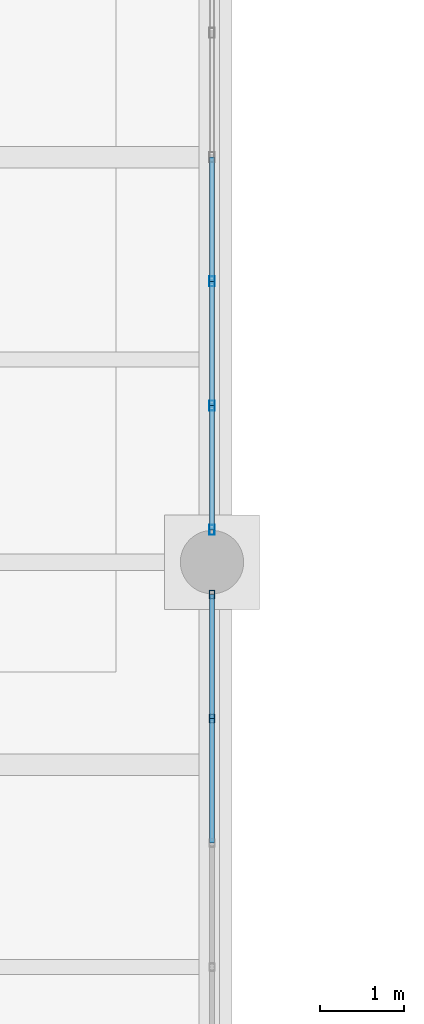
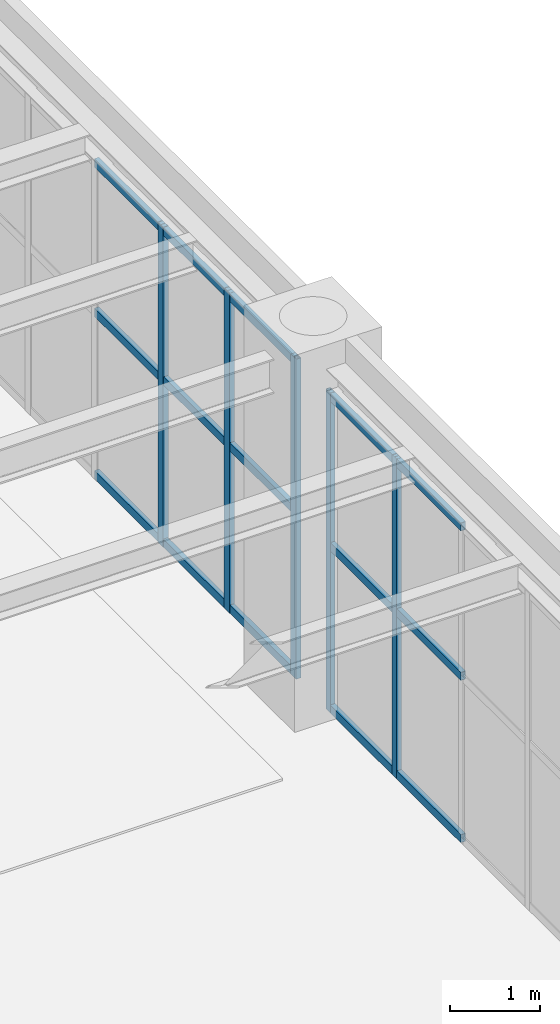
# One storey, part 51 of 174: 20 members, 2 elements without a shape of their own.
"""IFC4 building model written with IfcOpenShell, lengths in metres."""

from ifc_helpers import new_model, si_unit, direction, frame, origin, origin_2d, place, context, subcontext, project, spatial, hollow_rectangle, extrude, material, material_profile, profile_set, type_object, element, aggregate, save


model = new_model("IFC4")

# Units and contexts
model_context = context("Model", 3, precision=1e-05, world=origin(), true_north=direction((0.0, 1.0)))
body_context = subcontext(model_context, "Body", "Model", "MODEL_VIEW")
ifc_project = project(units=[si_unit("LENGTHUNIT", "METRE"), si_unit("AREAUNIT", "SQUARE_METRE"), si_unit("VOLUMEUNIT", "CUBIC_METRE"), si_unit("PLANEANGLEUNIT", "RADIAN"), si_unit("MASSUNIT", "GRAM", prefix="KILO")], contexts=[model_context])

# Site, building, storey
site_placement = place(None, origin())
site = spatial("IfcSite", under=ifc_project, at=site_placement, CompositionType="ELEMENT")
building_placement = place(site_placement, origin())
building = spatial("IfcBuilding", under=site, at=building_placement, Name="Mavantir Sound Aquarium", CompositionType="ELEMENT")
storey_placement = place(building_placement, frame((0.0, 0.0, 5.39990234375)))
storey = spatial("IfcBuildingStorey", under=building, at=storey_placement, Name="L01", CompositionType="ELEMENT", Elevation=5.39990234375)

# Curtain wall, members
ifc_material_1 = material(Name="Anodised Marine Aluminium and Low-E Glass", Category="aluminium")
curtain_wall_type_1 = type_object("IfcCurtainWallType", Name="CW-T07", PredefinedType="USERDEFINED", material=ifc_material_1)
curtain_wall_1_placement = place(storey_placement, origin())
curtain_wall_1 = element("IfcCurtainWall", 1, at=curtain_wall_1_placement, inside=storey, type_object=curtain_wall_type_1, Name="L01 unitised curtain wall CW-07 55", ObjectType="UNITISED GLAZING", PredefinedType="USERDEFINED")
ifc_material_2 = material(Name="Anodised Marine Aluminium 6063-T6", Category="aluminium")
ifc_material_profile_1 = material_profile(ifc_material_2, hollow_rectangle(XDim=0.06005859375, YDim=0.10009765625, WallThickness=0.00390625, at=origin_2d()), Name="ALU-MULLION-100X60")
ifc_profile_set_1 = profile_set([ifc_material_profile_1], Name="Anodised Marine Aluminium 6063-T6")
member_type_1 = type_object("IfcMemberType", Name="CW-MUL-100", PredefinedType="MULLION", material=ifc_profile_set_1)
member_1_placement = place(storey_placement, frame((64.800048828125, 48.544677734375, 0.0), z_axis=(0.0, 0.0, 1.0), x_axis=(1.0, 0.0, 0.0)))
member_1 = element("IfcMember", 2, at=member_1_placement, type_object=member_type_1, Name="CW-L01-055 vertical mullion 6", PredefinedType="MULLION", context=body_context, shape_type="SweptSolid", body=[
    extrude(hollow_rectangle(XDim=0.06005859375, YDim=0.10009765625, WallThickness=0.00390625, at=origin_2d()), origin(), (0.0, 0.0, 1.0), 4.3291015625),
])
member_2_placement = place(storey_placement, frame((64.800048828125, 50.01708984375, 0.0), z_axis=(0.0, 0.0, 1.0), x_axis=(1.0, 0.0, 0.0)))
member_2 = element("IfcMember", 3, at=member_2_placement, type_object=member_type_1, Name="CW-L01-055 vertical mullion 7", PredefinedType="MULLION", context=body_context, shape_type="SweptSolid", body=[
    extrude(hollow_rectangle(XDim=0.06005859375, YDim=0.10009765625, WallThickness=0.00390625, at=origin_2d()), origin(), (0.0, 0.0, 1.0), 4.3291015625),
])

curtain_wall_type_2 = type_object("IfcCurtainWallType", Name="CW-T08", PredefinedType="USERDEFINED", material=ifc_material_1)
curtain_wall_2_placement = place(storey_placement, origin())
curtain_wall_2 = element("IfcCurtainWall", 4, at=curtain_wall_2_placement, inside=storey, type_object=curtain_wall_type_2, Name="L01 unitised curtain wall CW-08 56", ObjectType="UNITISED GLAZING", PredefinedType="USERDEFINED")
ifc_material_profile_2 = material_profile(ifc_material_2, hollow_rectangle(XDim=0.06494140625, YDim=0.1201171875, WallThickness=0.00390625, at=origin_2d()), Name="ALU-MULLION-120X65")
ifc_profile_set_2 = profile_set([ifc_material_profile_2], Name="Anodised Marine Aluminium 6063-T6")
member_type_2 = type_object("IfcMemberType", Name="CW-MUL-120", PredefinedType="MULLION", material=ifc_profile_set_2)
member_3_placement = place(storey_placement, frame((64.800048828125, 50.782958984375, 0.0), z_axis=(0.0, 0.0, 1.0), x_axis=(1.0, 0.0, 0.0)))
member_3 = element("IfcMember", 5, at=member_3_placement, type_object=member_type_2, Name="CW-L01-056 vertical mullion 1", PredefinedType="MULLION", context=body_context, shape_type="SweptSolid", body=[
    extrude(hollow_rectangle(XDim=0.06494140625, YDim=0.1201171875, WallThickness=0.00390625, at=origin_2d()), origin(), (0.0, 0.0, 1.0), 4.3291015625),
])
member_4_placement = place(storey_placement, frame((64.800048828125, 52.25537109375, 0.0), z_axis=(0.0, 0.0, 1.0), x_axis=(1.0, 0.0, 0.0)))
member_4 = element("IfcMember", 6, at=member_4_placement, type_object=member_type_2, Name="CW-L01-056 vertical mullion 2", PredefinedType="MULLION", context=body_context, shape_type="SweptSolid", body=[
    extrude(hollow_rectangle(XDim=0.06494140625, YDim=0.1201171875, WallThickness=0.00390625, at=origin_2d()), origin(), (0.0, 0.0, 1.0), 4.3291015625),
])
member_5_placement = place(storey_placement, frame((64.800048828125, 53.727783203125, 0.0), z_axis=(0.0, 0.0, 1.0), x_axis=(1.0, 0.0, 0.0)))
member_5 = element("IfcMember", 7, at=member_5_placement, type_object=member_type_2, Name="CW-L01-056 vertical mullion 3", PredefinedType="MULLION", context=body_context, shape_type="SweptSolid", body=[
    extrude(hollow_rectangle(XDim=0.06494140625, YDim=0.1201171875, WallThickness=0.00390625, at=origin_2d()), origin(), (0.0, 0.0, 1.0), 4.3291015625),
])

# Member
ifc_material_profile_3 = material_profile(ifc_material_2, hollow_rectangle(XDim=0.06005859375, YDim=0.110107421875, WallThickness=0.00390625, at=origin_2d()), Name="ALU-TRANSOM-110X60")
ifc_profile_set_3 = profile_set([ifc_material_profile_3], Name="Anodised Marine Aluminium 6063-T6")
member_type_3 = type_object("IfcMemberType", Name="CW-TRN-110", PredefinedType="USERDEFINED", material=ifc_profile_set_3)
member_6_placement = place(storey_placement, frame((64.800048828125, 47.072265625, 0.05517578125), z_axis=(0.0, 1.0, 0.0), x_axis=(-1.0, 0.0, 0.0)))
member_6 = element("IfcMember", 8, at=member_6_placement, type_object=member_type_3, Name="CW-L01-055 transom 5.1", ObjectType="TRANSOM", PredefinedType="USERDEFINED", context=body_context, shape_type="SweptSolid", body=[
    extrude(hollow_rectangle(XDim=0.06005859375, YDim=0.110107421875, WallThickness=0.00390625, at=origin_2d()), origin(), (0.0, 0.0, 1.0), 1.472412109375),
])

member_7_placement = place(storey_placement, frame((64.800048828125, 47.072265625, 2.251220703125), z_axis=(0.0, 1.0, 0.0), x_axis=(-1.0, 0.0, 0.0)))
member_7 = element("IfcMember", 9, at=member_7_placement, type_object=member_type_3, Name="CW-L01-055 transom 5.2", ObjectType="TRANSOM", PredefinedType="USERDEFINED", context=body_context, shape_type="SweptSolid", body=[
    extrude(hollow_rectangle(XDim=0.06005859375, YDim=0.110107421875, WallThickness=0.00390625, at=origin_2d()), origin(), (0.0, 0.0, 1.0), 1.472412109375),
])

member_8_placement = place(storey_placement, frame((64.800048828125, 47.072265625, 4.274169921875), z_axis=(0.0, 1.0, 0.0), x_axis=(-1.0, 0.0, 0.0)))
member_8 = element("IfcMember", 10, at=member_8_placement, type_object=member_type_3, Name="CW-L01-055 transom 5.3", ObjectType="TRANSOM", PredefinedType="USERDEFINED", context=body_context, shape_type="SweptSolid", body=[
    extrude(hollow_rectangle(XDim=0.06005859375, YDim=0.110107421875, WallThickness=0.00390625, at=origin_2d()), origin(), (0.0, 0.0, 1.0), 1.472412109375),
])

member_9_placement = place(storey_placement, frame((64.800048828125, 48.544677734375, 0.05517578125), z_axis=(0.0, 1.0, 0.0), x_axis=(-1.0, 0.0, 0.0)))
member_9 = element("IfcMember", 11, at=member_9_placement, type_object=member_type_3, Name="CW-L01-055 transom 6.1", ObjectType="TRANSOM", PredefinedType="USERDEFINED", context=body_context, shape_type="SweptSolid", body=[
    extrude(hollow_rectangle(XDim=0.06005859375, YDim=0.110107421875, WallThickness=0.00390625, at=origin_2d()), origin(), (0.0, 0.0, 1.0), 1.472412109375),
])

member_10_placement = place(storey_placement, frame((64.800048828125, 48.544677734375, 2.251220703125), z_axis=(0.0, 1.0, 0.0), x_axis=(-1.0, 0.0, 0.0)))
member_10 = element("IfcMember", 12, at=member_10_placement, type_object=member_type_3, Name="CW-L01-055 transom 6.2", ObjectType="TRANSOM", PredefinedType="USERDEFINED", context=body_context, shape_type="SweptSolid", body=[
    extrude(hollow_rectangle(XDim=0.06005859375, YDim=0.110107421875, WallThickness=0.00390625, at=origin_2d()), origin(), (0.0, 0.0, 1.0), 1.472412109375),
])

member_11_placement = place(storey_placement, frame((64.800048828125, 48.544677734375, 4.274169921875), z_axis=(0.0, 1.0, 0.0), x_axis=(-1.0, 0.0, 0.0)))
member_11 = element("IfcMember", 13, at=member_11_placement, type_object=member_type_3, Name="CW-L01-055 transom 6.3", ObjectType="TRANSOM", PredefinedType="USERDEFINED", context=body_context, shape_type="SweptSolid", body=[
    extrude(hollow_rectangle(XDim=0.06005859375, YDim=0.110107421875, WallThickness=0.00390625, at=origin_2d()), origin(), (0.0, 0.0, 1.0), 1.472412109375),
])

aggregate(curtain_wall_1, [member_1, member_2, member_6, member_7, member_8, member_9, member_10, member_11])

member_12_placement = place(storey_placement, frame((64.800048828125, 50.782958984375, 0.05517578125), z_axis=(0.0, 1.0, 0.0), x_axis=(-1.0, 0.0, 0.0)))
member_12 = element("IfcMember", 14, at=member_12_placement, type_object=member_type_3, Name="CW-L01-056 transom 1.1", ObjectType="TRANSOM", PredefinedType="USERDEFINED", context=body_context, shape_type="SweptSolid", body=[
    extrude(hollow_rectangle(XDim=0.06005859375, YDim=0.110107421875, WallThickness=0.00390625, at=origin_2d()), origin(), (0.0, 0.0, 1.0), 1.472412109375),
])

member_13_placement = place(storey_placement, frame((64.800048828125, 50.782958984375, 2.251220703125), z_axis=(0.0, 1.0, 0.0), x_axis=(-1.0, 0.0, 0.0)))
member_13 = element("IfcMember", 15, at=member_13_placement, type_object=member_type_3, Name="CW-L01-056 transom 1.2", ObjectType="TRANSOM", PredefinedType="USERDEFINED", context=body_context, shape_type="SweptSolid", body=[
    extrude(hollow_rectangle(XDim=0.06005859375, YDim=0.110107421875, WallThickness=0.00390625, at=origin_2d()), origin(), (0.0, 0.0, 1.0), 1.472412109375),
])

member_14_placement = place(storey_placement, frame((64.800048828125, 50.782958984375, 4.274169921875), z_axis=(0.0, 1.0, 0.0), x_axis=(-1.0, 0.0, 0.0)))
member_14 = element("IfcMember", 16, at=member_14_placement, type_object=member_type_3, Name="CW-L01-056 transom 1.3", ObjectType="TRANSOM", PredefinedType="USERDEFINED", context=body_context, shape_type="SweptSolid", body=[
    extrude(hollow_rectangle(XDim=0.06005859375, YDim=0.110107421875, WallThickness=0.00390625, at=origin_2d()), origin(), (0.0, 0.0, 1.0), 1.472412109375),
])

member_15_placement = place(storey_placement, frame((64.800048828125, 52.25537109375, 0.05517578125), z_axis=(0.0, 1.0, 0.0), x_axis=(-1.0, 0.0, 0.0)))
member_15 = element("IfcMember", 17, at=member_15_placement, type_object=member_type_3, Name="CW-L01-056 transom 2.1", ObjectType="TRANSOM", PredefinedType="USERDEFINED", context=body_context, shape_type="SweptSolid", body=[
    extrude(hollow_rectangle(XDim=0.06005859375, YDim=0.110107421875, WallThickness=0.00390625, at=origin_2d()), origin(), (0.0, 0.0, 1.0), 1.472412109375),
])

member_16_placement = place(storey_placement, frame((64.800048828125, 52.25537109375, 2.251220703125), z_axis=(0.0, 1.0, 0.0), x_axis=(-1.0, 0.0, 0.0)))
member_16 = element("IfcMember", 18, at=member_16_placement, type_object=member_type_3, Name="CW-L01-056 transom 2.2", ObjectType="TRANSOM", PredefinedType="USERDEFINED", context=body_context, shape_type="SweptSolid", body=[
    extrude(hollow_rectangle(XDim=0.06005859375, YDim=0.110107421875, WallThickness=0.00390625, at=origin_2d()), origin(), (0.0, 0.0, 1.0), 1.472412109375),
])

member_17_placement = place(storey_placement, frame((64.800048828125, 52.25537109375, 4.274169921875), z_axis=(0.0, 1.0, 0.0), x_axis=(-1.0, 0.0, 0.0)))
member_17 = element("IfcMember", 19, at=member_17_placement, type_object=member_type_3, Name="CW-L01-056 transom 2.3", ObjectType="TRANSOM", PredefinedType="USERDEFINED", context=body_context, shape_type="SweptSolid", body=[
    extrude(hollow_rectangle(XDim=0.06005859375, YDim=0.110107421875, WallThickness=0.00390625, at=origin_2d()), origin(), (0.0, 0.0, 1.0), 1.472412109375),
])

member_18_placement = place(storey_placement, frame((64.800048828125, 53.727783203125, 0.05517578125), z_axis=(0.0, 1.0, 0.0), x_axis=(-1.0, 0.0, 0.0)))
member_18 = element("IfcMember", 20, at=member_18_placement, type_object=member_type_3, Name="CW-L01-056 transom 3.1", ObjectType="TRANSOM", PredefinedType="USERDEFINED", context=body_context, shape_type="SweptSolid", body=[
    extrude(hollow_rectangle(XDim=0.06005859375, YDim=0.110107421875, WallThickness=0.00390625, at=origin_2d()), origin(), (0.0, 0.0, 1.0), 1.47216796875),
])

member_19_placement = place(storey_placement, frame((64.800048828125, 53.727783203125, 2.251220703125), z_axis=(0.0, 1.0, 0.0), x_axis=(-1.0, 0.0, 0.0)))
member_19 = element("IfcMember", 21, at=member_19_placement, type_object=member_type_3, Name="CW-L01-056 transom 3.2", ObjectType="TRANSOM", PredefinedType="USERDEFINED", context=body_context, shape_type="SweptSolid", body=[
    extrude(hollow_rectangle(XDim=0.06005859375, YDim=0.110107421875, WallThickness=0.00390625, at=origin_2d()), origin(), (0.0, 0.0, 1.0), 1.47216796875),
])

member_20_placement = place(storey_placement, frame((64.800048828125, 53.727783203125, 4.274169921875), z_axis=(0.0, 1.0, 0.0), x_axis=(-1.0, 0.0, 0.0)))
member_20 = element("IfcMember", 22, at=member_20_placement, type_object=member_type_3, Name="CW-L01-056 transom 3.3", ObjectType="TRANSOM", PredefinedType="USERDEFINED", context=body_context, shape_type="SweptSolid", body=[
    extrude(hollow_rectangle(XDim=0.06005859375, YDim=0.110107421875, WallThickness=0.00390625, at=origin_2d()), origin(), (0.0, 0.0, 1.0), 1.47216796875),
])

aggregate(curtain_wall_2, [member_3, member_4, member_5, member_12, member_13, member_14, member_15, member_16, member_17, member_18, member_19, member_20])

save(model, "model.ifc")
